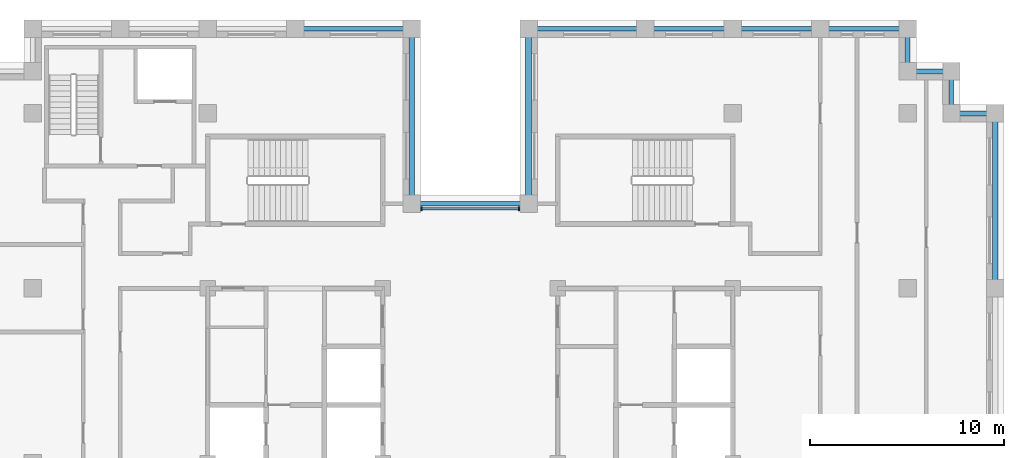
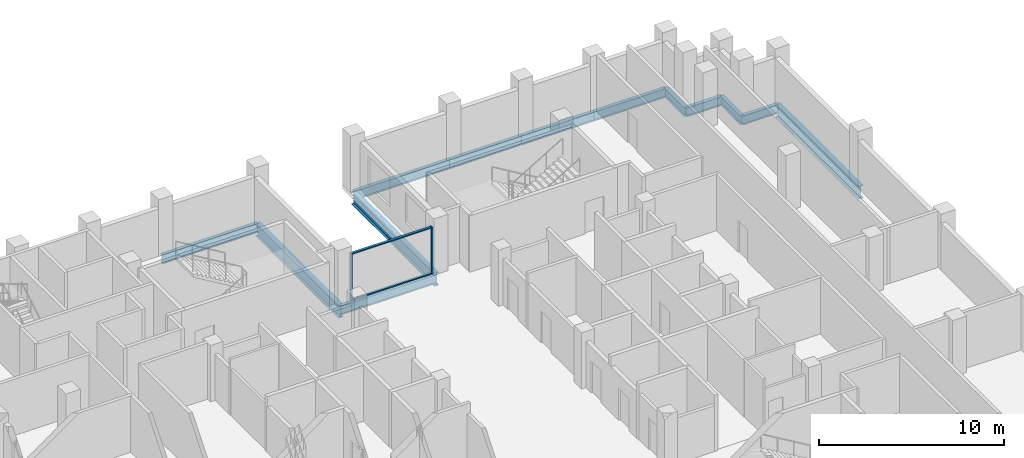
# One storey, part 4 of 13: 13 beams, 4 members, 1 element without a shape of its own.
"""IFC4 building model written with IfcOpenShell, lengths in metres."""

from ifc_helpers import new_model, si_unit, direction, frame, origin, origin_2d, place, context, subcontext, project, spatial, rectangle, i_section, extrude, material, layer, layer_set, material_profile, profile_set, type_object, element, aggregate, save


model = new_model("IFC4")

# Units and contexts
model_context = context("Model", 3, precision=1e-05, world=origin(), true_north=direction((0.0, 1.0)))
body_context = subcontext(model_context, "Body", "Model", "MODEL_VIEW")
ifc_project = project(units=[si_unit("LENGTHUNIT", "METRE"), si_unit("AREAUNIT", "SQUARE_METRE"), si_unit("VOLUMEUNIT", "CUBIC_METRE"), si_unit("PLANEANGLEUNIT", "RADIAN"), si_unit("MASSUNIT", "GRAM", prefix="KILO")], contexts=[model_context])

# Site, building, storey
site_placement = place(None, origin())
site = spatial("IfcSite", under=ifc_project, at=site_placement, CompositionType="ELEMENT")
building_placement = place(site_placement, origin())
building = spatial("IfcBuilding", under=site, at=building_placement, Name="Corbelhall Arena Tower", CompositionType="ELEMENT")
storey_placement = place(building_placement, frame((0.0, 0.0, 270.0)))
storey = spatial("IfcBuildingStorey", under=building, at=storey_placement, Name="L58", CompositionType="ELEMENT", Elevation=270.0)

# Curtain wall, members
ifc_material_1 = material(Name="Aluminium black anodised", Category="aluminium")
ifc_layer = layer(ifc_material_1, 0.199951171875)
ifc_layer_set = layer_set([ifc_layer], Name="EV-CW1 Slot back wall")
curtain_wall_type = type_object("IfcCurtainWallType", Name="EV-CW1 Slot back wall", PredefinedType="NOTDEFINED", material=ifc_layer_set)
curtain_wall_placement = place(storey_placement, origin())
curtain_wall = element("IfcCurtainWall", 1, at=curtain_wall_placement, inside=storey, type_object=curtain_wall_type, Name="Curtain wall CW1", PredefinedType="NOTDEFINED")
ifc_material_profile_1 = material_profile(ifc_material_1, rectangle(XDim=0.199951171875, YDim=0.074951171875, at=origin_2d()))
ifc_profile_set_1 = profile_set([ifc_material_profile_1], Name="Aluminium black anodised")
member_type_1 = type_object("IfcMemberType", Name="EV-CW1-MULLION", PredefinedType="MULLION", material=ifc_profile_set_1)
member_1_placement = place(storey_placement, frame((2.512451171875, 13.10009765625, 0.0), z_axis=(0.0, 0.0, 1.0), x_axis=(0.0, -1.0, 0.0)))
member_1 = element("IfcMember", 2, at=member_1_placement, type_object=member_type_1, Name="CW1 mullion 1", PredefinedType="MULLION", context=body_context, shape_type="SweptSolid", body=[
    extrude(rectangle(XDim=0.199951171875, YDim=0.074951171875, at=origin_2d()), origin(), (0.0, 0.0, 1.0), 3.1201171875),
])
member_2_placement = place(storey_placement, frame((-2.512451171875, 13.10009765625, 0.0), z_axis=(0.0, 0.0, 1.0), x_axis=(0.0, -1.0, 0.0)))
member_2 = element("IfcMember", 3, at=member_2_placement, type_object=member_type_1, Name="CW1 mullion 2", PredefinedType="MULLION", context=body_context, shape_type="SweptSolid", body=[
    extrude(rectangle(XDim=0.199951171875, YDim=0.074951171875, at=origin_2d()), origin(), (0.0, 0.0, 1.0), 3.1201171875),
])
ifc_material_profile_2 = material_profile(ifc_material_1, rectangle(XDim=0.14990234375, YDim=0.074951171875, at=origin_2d()))
ifc_profile_set_2 = profile_set([ifc_material_profile_2], Name="Aluminium black anodised")
member_type_2 = type_object("IfcMemberType", Name="EV-CW1-TRANSOM", PredefinedType="USERDEFINED", material=ifc_profile_set_2)
member_3_placement = place(storey_placement, frame((2.47509765625, 13.10009765625, 0.03759765625), z_axis=(-1.0, 0.0, 0.0), x_axis=(0.0, -1.0, 0.0)))
member_3 = element("IfcMember", 4, at=member_3_placement, type_object=member_type_2, Name="CW1 transom 1.1", ObjectType="transom", PredefinedType="USERDEFINED", context=body_context, shape_type="SweptSolid", body=[
    extrude(rectangle(XDim=0.14990234375, YDim=0.074951171875, at=origin_2d()), origin(), (0.0, 0.0, 1.0), 4.9501953125),
])
member_4_placement = place(storey_placement, frame((2.47509765625, 13.10009765625, 3.08251953125), z_axis=(-1.0, 0.0, 0.0), x_axis=(0.0, -1.0, 0.0)))
member_4 = element("IfcMember", 5, at=member_4_placement, type_object=member_type_2, Name="CW1 transom 1.2", ObjectType="transom", PredefinedType="USERDEFINED", context=body_context, shape_type="SweptSolid", body=[
    extrude(rectangle(XDim=0.14990234375, YDim=0.074951171875, at=origin_2d()), origin(), (0.0, 0.0, 1.0), 4.9501953125),
])
aggregate(curtain_wall, [member_1, member_2, member_3, member_4])

# Beams
ifc_material_2 = material(Name="Steel ASTM A992 Gr50", Category="steel")
ifc_material_profile_3 = material_profile(ifc_material_2, i_section(OverallWidth=0.227783203125, OverallDepth=0.60205078125, WebThickness=0.010498046875, FlangeThickness=0.014892578125, at=origin_2d()))
ifc_profile_set_3 = profile_set([ifc_material_profile_3], Name="Steel ASTM A992 Gr50")
beam_type_1 = type_object("IfcBeamType", Name="ST-SPANDREL-W24x68", PredefinedType="SPANDREL", material=ifc_profile_set_3)
beam_1_placement = place(storey_placement, frame((3.0, 22.35009765625, -0.5810546875), z_axis=(1.0, 0.0, 0.0), x_axis=(0.0, 1.0, 0.0)))
element("IfcBeam", 6, at=beam_1_placement, inside=storey, type_object=beam_type_1, Name="Beam SP 6", PredefinedType="SPANDREL", context=body_context, shape_type="SweptSolid", body=[
    extrude(i_section(OverallWidth=0.227783203125, OverallDepth=0.60205078125, WebThickness=0.010498046875, FlangeThickness=0.014892578125, at=origin_2d()), origin(), (0.0, 0.0, 1.0), 6.0),
])
for number, where, z_axis, x_axis, name in (
    (7, (9.0, 22.35009765625, -0.5810546875), (1.0, 0.0, 0.0), (0.0, 1.0, 0.0), "Beam SP 7"),
    (8, (13.5, 22.35009765625, -0.5810546875), (1.0, 0.0, 0.0), (0.0, 1.0, 0.0), "Beam SP 8"),
    (9, (18.0, 22.35009765625, -0.5810546875), (1.0, 0.0, 0.0), (0.0, 1.0, 0.0), "Beam SP 9"),
):
    element("IfcBeam", number, at=place(storey_placement, frame(where, z_axis=z_axis, x_axis=x_axis)), inside=storey, type_object=beam_type_1, Name=name, PredefinedType="SPANDREL", context=body_context, shape_type="SweptSolid", body=[
        extrude(i_section(OverallWidth=0.227783203125, OverallDepth=0.60205078125, WebThickness=0.010498046875, FlangeThickness=0.014892578125, at=origin_2d()), origin(), (0.0, 0.0, 1.0), 4.5),
    ])
beam_2_placement = place(storey_placement, frame((22.5, 22.35009765625, -0.5810546875), z_axis=(0.0, -1.0, 0.0), x_axis=(1.0, 0.0, 0.0)))
element("IfcBeam", 10, at=beam_2_placement, inside=storey, type_object=beam_type_1, Name="Beam SP 10", PredefinedType="SPANDREL", context=body_context, shape_type="SweptSolid", body=[
    extrude(i_section(OverallWidth=0.227783203125, OverallDepth=0.60205078125, WebThickness=0.010498046875, FlangeThickness=0.014892578125, at=origin_2d()), origin(), (0.0, 0.0, 1.0), 2.175048828125),
])
for number, where, z_axis, x_axis, name in (
    (11, (-9.0, 22.35009765625, -0.5810546875), (1.0, 0.0, 0.0), (0.0, 1.0, 0.0), "Beam SP 12"),
    (12, (-3.0, 13.35009765625, -0.5810546875), (1.0, 0.0, 0.0), (0.0, 1.0, 0.0), "Beam SP 32"),
):
    element("IfcBeam", number, at=place(storey_placement, frame(where, z_axis=z_axis, x_axis=x_axis)), inside=storey, type_object=beam_type_1, Name=name, PredefinedType="SPANDREL", context=body_context, shape_type="SweptSolid", body=[
        extrude(i_section(OverallWidth=0.227783203125, OverallDepth=0.60205078125, WebThickness=0.010498046875, FlangeThickness=0.014892578125, at=origin_2d()), origin(), (0.0, 0.0, 1.0), 6.0),
    ])
beam_3_placement = place(storey_placement, frame((22.5, 20.175048828125, -0.5810546875), z_axis=(1.0, 0.0, 0.0), x_axis=(0.0, 1.0, 0.0)))
element("IfcBeam", 13, at=beam_3_placement, inside=storey, type_object=beam_type_1, Name="Beam SP 35", PredefinedType="SPANDREL", context=body_context, shape_type="SweptSolid", body=[
    extrude(i_section(OverallWidth=0.227783203125, OverallDepth=0.60205078125, WebThickness=0.010498046875, FlangeThickness=0.014892578125, at=origin_2d()), origin(), (0.0, 0.0, 1.0), 2.25),
])
beam_4_placement = place(storey_placement, frame((24.75, 20.175048828125, -0.5810546875), z_axis=(0.0, -1.0, 0.0), x_axis=(1.0, 0.0, 0.0)))
element("IfcBeam", 14, at=beam_4_placement, inside=storey, type_object=beam_type_1, Name="Beam SP 36", PredefinedType="SPANDREL", context=body_context, shape_type="SweptSolid", body=[
    extrude(i_section(OverallWidth=0.227783203125, OverallDepth=0.60205078125, WebThickness=0.010498046875, FlangeThickness=0.014892578125, at=origin_2d()), origin(), (0.0, 0.0, 1.0), 2.175048828125),
])
beam_5_placement = place(storey_placement, frame((24.75, 18.0, -0.5810546875), z_axis=(1.0, 0.0, 0.0), x_axis=(0.0, 1.0, 0.0)))
element("IfcBeam", 15, at=beam_5_placement, inside=storey, type_object=beam_type_1, Name="Beam SP 37", PredefinedType="SPANDREL", context=body_context, shape_type="SweptSolid", body=[
    extrude(i_section(OverallWidth=0.227783203125, OverallDepth=0.60205078125, WebThickness=0.010498046875, FlangeThickness=0.014892578125, at=origin_2d()), origin(), (0.0, 0.0, 1.0), 2.25),
])
ifc_material_profile_4 = material_profile(ifc_material_2, i_section(OverallWidth=0.2919921875, OverallDepth=0.845703125, WebThickness=0.015380859375, FlangeThickness=0.0244140625, at=origin_2d()))
ifc_profile_set_4 = profile_set([ifc_material_profile_4], Name="Steel ASTM A992 Gr50")
beam_type_2 = type_object("IfcBeamType", Name="ST-SPANDREL-W33x141", PredefinedType="SPANDREL", material=ifc_profile_set_4)
for number, where, z_axis, x_axis, name in (
    (16, (27.0, 18.0, -0.702880859375), (0.0, -1.0, 0.0), (1.0, 0.0, 0.0), "Beam SP 3"),
    (17, (-3.0, 22.35009765625, -0.702880859375), (0.0, -1.0, 0.0), (1.0, 0.0, 0.0), "Beam SP 11"),
    (18, (3.0, 13.35009765625, -0.702880859375), (0.0, 1.0, 0.0), (-1.0, 0.0, 0.0), "Beam SP 31"),
):
    element("IfcBeam", number, at=place(storey_placement, frame(where, z_axis=z_axis, x_axis=x_axis)), inside=storey, type_object=beam_type_2, Name=name, PredefinedType="SPANDREL", context=body_context, shape_type="SweptSolid", body=[
        extrude(i_section(OverallWidth=0.2919921875, OverallDepth=0.845703125, WebThickness=0.015380859375, FlangeThickness=0.0244140625, at=origin_2d()), origin(), (0.0, 0.0, 1.0), 9.0),
    ])

save(model, "model.ifc")
